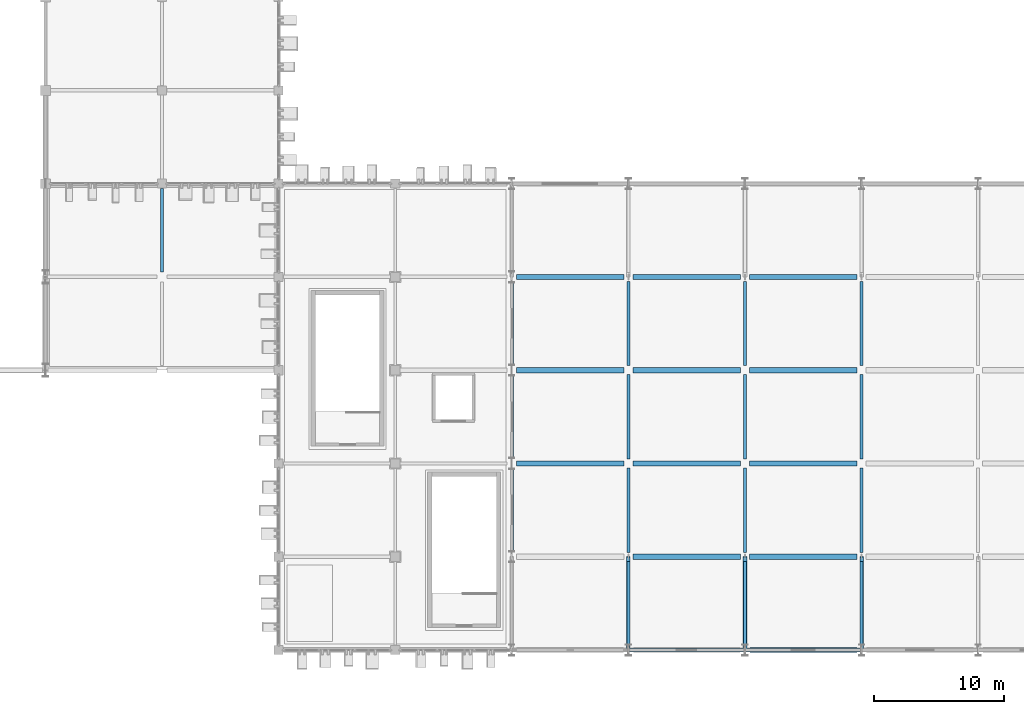
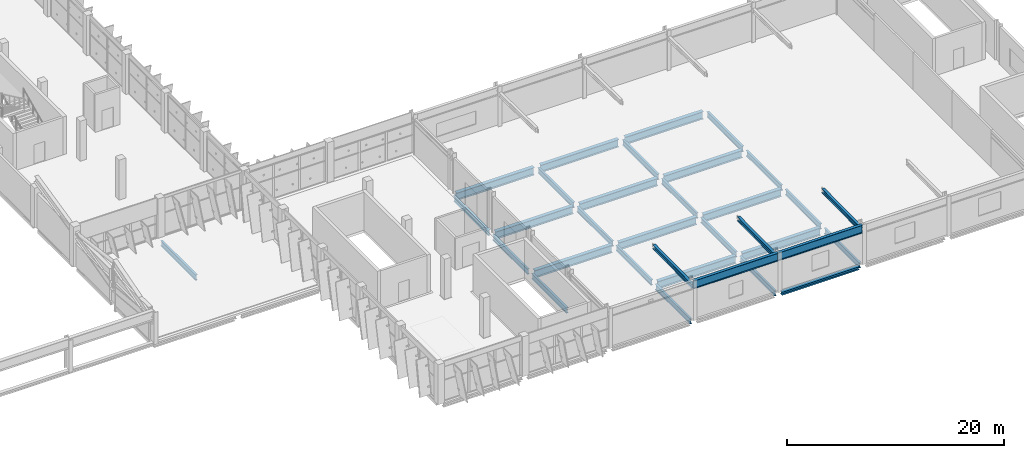
# One storey, part 42 of 151: 30 beams, 3 members.
"""IFC4 building model written with IfcOpenShell, lengths in metres."""

import ifcopenshell
import ifcopenshell.guid

model = None  # the IFC model being written
_history = None  # IfcOwnerHistory: only IFC2X3 demands one
_inside = {}  # id of a spatial element -> (the spatial element, [elements in it])
_under = {}  # id of a project, library or spatial element -> (it, [spatial elements below it])
_declared = {}  # id of a project -> (the project, [libraries it declares])
_typed = {}  # id of a type object -> (the type object, [elements of that type])
_made_of = {}  # id of a material, layer set ... -> (it, [elements and type objects made of it])


def new_model(schema):
    """Start an empty IFC model of exactly this schema.

    Asked for "IFC4X3", IfcOpenShell would pick the latest addendum, in which some entities
    have other attributes; the version numbers below select the first issue.
    IFC2X3 requires an IfcOwnerHistory on every rooted entity: one is made here for all.
    """
    global model, _history
    if schema == "IFC4X3":
        model = ifcopenshell.file(schema_version=(4, 3, 0, 0))
    else:
        model = ifcopenshell.file(schema=schema)
    _inside.clear()
    _under.clear()
    _declared.clear()
    _typed.clear()
    _made_of.clear()
    _history = None
    if model.schema == "IFC2X3":
        org = make("IfcOrganization", Name="unknown")
        user = make(
            "IfcPersonAndOrganization",
            ThePerson=make("IfcPerson", FamilyName="unknown"),
            TheOrganization=org,
        )
        app = make(
            "IfcApplication",
            ApplicationDeveloper=org,
            Version="unknown",
            ApplicationFullName="unknown",
            ApplicationIdentifier="unknown",
        )
        _history = make(
            "IfcOwnerHistory",
            OwningUser=user,
            OwningApplication=app,
            ChangeAction="ADDED",
            CreationDate=0,
        )
    return model


def make(cls, **values):
    """One entity of the class cls with the attributes given. An attribute that is None is left unset."""
    return model.create_entity(
        cls, **{name: value for name, value in values.items() if value is not None}
    )


def rooted(cls, **values):
    """An entity with a GlobalId (a new one), such as an element, a storey or a relation."""
    return make(cls, GlobalId=ifcopenshell.guid.new(), OwnerHistory=_history, **values)


def si_unit(unit_type, name, prefix=None):
    """IfcSIUnit, for example si_unit("LENGTHUNIT", "METRE", prefix="MILLI")."""
    return make("IfcSIUnit", UnitType=unit_type, Prefix=prefix, Name=name)


def assignment(units):
    """IfcUnitAssignment: the units of a project."""
    return None if units is None else make("IfcUnitAssignment", Units=units)


def point(xyz):
    """IfcCartesianPoint."""
    return None if xyz is None else make("IfcCartesianPoint", Coordinates=xyz)


def direction(xyz):
    """IfcDirection."""
    return None if xyz is None else make("IfcDirection", DirectionRatios=xyz)


def frame(location, z_axis=None, x_axis=None):
    """IfcAxis2Placement3D, a coordinate frame: its origin and axes. An axis left out is left unset."""
    return make(
        "IfcAxis2Placement3D",
        Location=point(location),
        Axis=direction(z_axis),
        RefDirection=direction(x_axis),
    )


def frame_2d(location, x_axis=None):
    """IfcAxis2Placement2D, a coordinate frame in the plane: its origin and x axis."""
    return make(
        "IfcAxis2Placement2D", Location=point(location), RefDirection=direction(x_axis)
    )


def origin():
    """The frame at (0, 0, 0) with its axes left unset."""
    return frame((0.0, 0.0, 0.0))


def origin_2d():
    """The frame at (0, 0) in the plane with its x axis left unset."""
    return frame_2d((0.0, 0.0))


def place(relative_to, where):
    """IfcLocalPlacement: puts the frame where relative to a parent placement (None: the world)."""
    return make(
        "IfcLocalPlacement", PlacementRelTo=relative_to, RelativePlacement=where
    )


def context(
    kind, dimensions, precision=None, world=None, true_north=None, identifier=None
):
    """IfcGeometricRepresentationContext, for example the 3D "Model" context."""
    return make(
        "IfcGeometricRepresentationContext",
        ContextIdentifier=identifier,
        ContextType=kind,
        CoordinateSpaceDimension=dimensions,
        Precision=precision,
        WorldCoordinateSystem=world,
        TrueNorth=true_north,
    )


def subcontext(parent, identifier, kind, view, scale=None):
    """IfcGeometricRepresentationSubContext, for example "Body" below "Model"."""
    return make(
        "IfcGeometricRepresentationSubContext",
        ContextIdentifier=identifier,
        ContextType=kind,
        ParentContext=parent,
        TargetScale=scale,
        TargetView=view,
    )


def project(units=None, contexts=None):
    """IfcProject with its units and contexts."""
    return rooted(
        "IfcProject",
        Name="project",
        RepresentationContexts=contexts,
        UnitsInContext=assignment(units),
    )


def spatial(cls, under=None, at=None, **own):
    """A site, building, storey or space (cls), placed at a placement, below another one or the project."""
    s = rooted(cls, ObjectPlacement=at, **own)
    if under is not None:
        _under.setdefault(under.id(), (under, []))[1].append(s)
    return s


def profile(cls, at=None, kind="AREA", **sizes):
    """A parametric profile (cls). Its sizes go by their IFC names, for example OverallWidth=200.0."""
    return make(cls, ProfileType=kind, Position=at, **sizes)


def i_section(**sizes):
    """IfcIShapeProfileDef."""
    return profile("IfcIShapeProfileDef", **sizes)


def extrude(swept, where, along, depth):
    """IfcExtrudedAreaSolid: the profile swept, set in the frame where, extruded along a direction by depth."""
    return make(
        "IfcExtrudedAreaSolid",
        SweptArea=swept,
        Position=where,
        ExtrudedDirection=direction(along),
        Depth=depth,
    )


def shape(context_of_items, identifier, shape_type, items):
    """IfcShapeRepresentation: the items that make up one representation, for example the "Body"."""
    return make(
        "IfcShapeRepresentation",
        ContextOfItems=context_of_items,
        RepresentationIdentifier=identifier,
        RepresentationType=shape_type,
        Items=items,
    )


def material(Name=None, Category=None):
    """IfcMaterial."""
    return make("IfcMaterial", Name=Name, Category=Category)


def material_profile(
    of_material, cross_section, Name=None, Category=None, Priority=None
):
    """IfcMaterialProfile: a cross section and its material."""
    return make(
        "IfcMaterialProfile",
        Name=Name,
        Material=of_material,
        Profile=cross_section,
        Priority=Priority,
        Category=Category,
    )


def profile_set(profiles, Name=None, composite=None):
    """IfcMaterialProfileSet."""
    return make(
        "IfcMaterialProfileSet",
        Name=Name,
        MaterialProfiles=profiles,
        CompositeProfile=composite,
    )


def made_of(thing, what):
    """Note that an element or type object is made of a material, layer set ...; save() writes the relation."""
    if what is not None:
        _made_of.setdefault(what.id(), (what, []))[1].append(thing)
    return thing


def type_object(cls, material=None, **own):
    """A type object (cls), such as IfcWallType, which elements share."""
    return made_of(rooted(cls, **own), material)


def element(
    cls,
    number,
    at=None,
    inside=None,
    cuts=None,
    type_object=None,
    material=None,
    context=None,
    identifier="Body",
    shape_type=None,
    held_by="IfcProductDefinitionShape",
    body=None,
    shapes=None,
    **own,
):
    """One element of the class cls, such as IfcWall. Its Tag is "e" and its number.

    at: its placement. inside: the storey or other place that contains it. cuts: it is an
    opening in that element (IfcRelVoidsElement). A single representation is given by context,
    identifier, shape_type and body (its items); several are given by shapes. held_by: the class
    of the entity that holds the representations. save() writes the other relations.
    """
    e = rooted(cls, Tag="e%d" % number, ObjectPlacement=at, **own)
    if body is not None:
        shapes = [shape(context, identifier, shape_type, body)]
    if shapes is not None:
        e.Representation = make(held_by, Representations=shapes)
    if inside is not None:
        _inside.setdefault(inside.id(), (inside, []))[1].append(e)
    if cuts is not None:
        rooted(
            "IfcRelVoidsElement", RelatingBuildingElement=cuts, RelatedOpeningElement=e
        )
    if type_object is not None:
        _typed.setdefault(type_object.id(), (type_object, []))[1].append(e)
    return made_of(e, material)


def aggregate(whole, parts):
    """IfcRelAggregates: a whole, such as a stair, and the parts it consists of."""
    return rooted("IfcRelAggregates", RelatingObject=whole, RelatedObjects=parts)


def save(model, path):
    """Write the relations noted so far, then the file.

    IfcRelAggregates (storeys below a building ...), IfcRelContainedInSpatialStructure (elements
    in a storey), IfcRelDefinesByType, IfcRelAssociatesMaterial and IfcRelDeclares: one each for
    every whole, place, type object, material and project.
    """
    for whole, parts in _under.values():
        aggregate(whole, parts)
    for where, things in _inside.values():
        rooted(
            "IfcRelContainedInSpatialStructure",
            RelatedElements=things,
            RelatingStructure=where,
        )
    for kind, things in _typed.values():
        rooted("IfcRelDefinesByType", RelatedObjects=things, RelatingType=kind)
    for what, things in _made_of.values():
        rooted("IfcRelAssociatesMaterial", RelatedObjects=things, RelatingMaterial=what)
    for by, libraries in _declared.values():
        rooted("IfcRelDeclares", RelatingContext=by, RelatedDefinitions=libraries)
    model.write(path)


model = new_model("IFC4")

# Units and contexts
model_context = context("Model", 3, precision=1e-05, world=origin(), true_north=direction((0.0, 1.0)))
body_context = subcontext(model_context, "Body", "Model", "MODEL_VIEW")
ifc_project = project(units=[si_unit("LENGTHUNIT", "METRE"), si_unit("AREAUNIT", "SQUARE_METRE"), si_unit("VOLUMEUNIT", "CUBIC_METRE"), si_unit("PLANEANGLEUNIT", "RADIAN"), si_unit("MASSUNIT", "GRAM", prefix="KILO")], contexts=[model_context])

# Site, building, storey
site_placement = place(None, origin())
site = spatial("IfcSite", under=ifc_project, at=site_placement, CompositionType="ELEMENT")
building_placement = place(site_placement, origin())
building = spatial("IfcBuilding", under=site, at=building_placement, Name="Celestram Park Convention Centre", CompositionType="ELEMENT")
storey_placement = place(building_placement, frame((0.0, 0.0, 10.800048828125)))
storey = spatial("IfcBuildingStorey", under=building, at=storey_placement, Name="L02", CompositionType="ELEMENT", Elevation=10.800048828125)

# Beams
ifc_material = material(Name="Steel ASTM A992 Grade 50", Category="steel")
ifc_material_profile_1 = material_profile(ifc_material, i_section(OverallWidth=0.22900390625, OverallDepth=0.612060546875, WebThickness=0.011962890625, FlangeThickness=0.01953125, at=origin_2d()), Name="W24X84")
ifc_profile_set_1 = profile_set([ifc_material_profile_1], Name="Steel ASTM A992 Grade 50")
beam_type_1 = type_object("IfcBeamType", Name="STR-BM-W24X84", PredefinedType="BEAM", material=ifc_profile_set_1)
beam_1_placement = place(storey_placement, frame((135.0, 29.173095703125, -0.546142578125), z_axis=(0.0, 1.0, 0.0), x_axis=(-1.0, 0.0, 0.0)))
element("IfcBeam", 1, at=beam_1_placement, inside=storey, type_object=beam_type_1, Name="Primary Y-girder BG-L02-0197", PredefinedType="BEAM", context=body_context, shape_type="SweptSolid", body=[
    extrude(i_section(OverallWidth=0.22900390625, OverallDepth=0.612060546875, WebThickness=0.011962890625, FlangeThickness=0.01953125, at=origin_2d()), origin(), (0.0, 0.0, 1.0), 6.453857421875),
])
for number, where, z_axis, x_axis, name in (
    (2, (162.0, 7.572998046875, -0.5859375), (0.0, 1.0, 0.0), (-1.0, 0.0, 0.0), "Primary Y-girder BG-L02-0287"),
    (3, (162.0, 14.77294921875, -0.5859375), (0.0, 1.0, 0.0), (-1.0, 0.0, 0.0), "Primary Y-girder BG-L02-0289"),
    (4, (162.0, 21.972900390625, -0.5859375), (0.0, 1.0, 0.0), (-1.0, 0.0, 0.0), "Primary Y-girder BG-L02-0291"),
):
    element("IfcBeam", number, at=place(storey_placement, frame(where, z_axis=z_axis, x_axis=x_axis)), inside=storey, type_object=beam_type_1, Name=name, PredefinedType="BEAM", context=body_context, shape_type="SweptSolid", body=[
        extrude(i_section(OverallWidth=0.22900390625, OverallDepth=0.612060546875, WebThickness=0.011962890625, FlangeThickness=0.01953125, at=origin_2d()), origin(), (0.0, 0.0, 1.0), 6.4541015625),
    ])
beam_2_placement = place(storey_placement, frame((171.0, 0.373046875, -0.5859375), z_axis=(0.0, 1.0, 0.0), x_axis=(-1.0, 0.0, 0.0)))
element("IfcBeam", 5, at=beam_2_placement, inside=storey, type_object=beam_type_1, Name="Primary Y-girder BG-L02-0298", PredefinedType="BEAM", context=body_context, shape_type="SweptSolid", body=[
    extrude(i_section(OverallWidth=0.22900390625, OverallDepth=0.612060546875, WebThickness=0.011962890625, FlangeThickness=0.01953125, at=origin_2d()), origin(), (0.0, 0.0, 1.0), 6.47900390625),
])
for number, where, z_axis, x_axis, name in (
    (6, (171.0, 7.548095703125, -0.5859375), (0.0, 1.0, 0.0), (-1.0, 0.0, 0.0), "Primary Y-girder BG-L02-0300"),
    (7, (171.0, 14.748046875, -0.5859375), (0.0, 1.0, 0.0), (-1.0, 0.0, 0.0), "Primary Y-girder BG-L02-0302"),
    (8, (171.0, 21.947998046875, -0.5859375), (0.0, 1.0, 0.0), (-1.0, 0.0, 0.0), "Primary Y-girder BG-L02-0304"),
):
    element("IfcBeam", number, at=place(storey_placement, frame(where, z_axis=z_axis, x_axis=x_axis)), inside=storey, type_object=beam_type_1, Name=name, PredefinedType="BEAM", context=body_context, shape_type="SweptSolid", body=[
        extrude(i_section(OverallWidth=0.22900390625, OverallDepth=0.612060546875, WebThickness=0.011962890625, FlangeThickness=0.01953125, at=origin_2d()), origin(), (0.0, 0.0, 1.0), 6.50390625),
    ])
beam_3_placement = place(storey_placement, frame((180.0, 0.373046875, -0.5859375), z_axis=(0.0, 1.0, 0.0), x_axis=(-1.0, 0.0, 0.0)))
element("IfcBeam", 9, at=beam_3_placement, inside=storey, type_object=beam_type_1, Name="Primary Y-girder BG-L02-0311", PredefinedType="BEAM", context=body_context, shape_type="SweptSolid", body=[
    extrude(i_section(OverallWidth=0.22900390625, OverallDepth=0.612060546875, WebThickness=0.011962890625, FlangeThickness=0.01953125, at=origin_2d()), origin(), (0.0, 0.0, 1.0), 6.47900390625),
])
for number, where, z_axis, x_axis, name in (
    (10, (180.0, 7.548095703125, -0.5859375), (0.0, 1.0, 0.0), (-1.0, 0.0, 0.0), "Primary Y-girder BG-L02-0313"),
    (11, (180.0, 14.748046875, -0.5859375), (0.0, 1.0, 0.0), (-1.0, 0.0, 0.0), "Primary Y-girder BG-L02-0315"),
    (12, (180.0, 21.947998046875, -0.5859375), (0.0, 1.0, 0.0), (-1.0, 0.0, 0.0), "Primary Y-girder BG-L02-0317"),
):
    element("IfcBeam", number, at=place(storey_placement, frame(where, z_axis=z_axis, x_axis=x_axis)), inside=storey, type_object=beam_type_1, Name=name, PredefinedType="BEAM", context=body_context, shape_type="SweptSolid", body=[
        extrude(i_section(OverallWidth=0.22900390625, OverallDepth=0.612060546875, WebThickness=0.011962890625, FlangeThickness=0.01953125, at=origin_2d()), origin(), (0.0, 0.0, 1.0), 6.50390625),
    ])
beam_4_placement = place(storey_placement, frame((189.0, 0.373046875, -0.5859375), z_axis=(0.0, 1.0, 0.0), x_axis=(-1.0, 0.0, 0.0)))
element("IfcBeam", 13, at=beam_4_placement, inside=storey, type_object=beam_type_1, Name="Primary Y-girder BG-L02-0324", PredefinedType="BEAM", context=body_context, shape_type="SweptSolid", body=[
    extrude(i_section(OverallWidth=0.22900390625, OverallDepth=0.612060546875, WebThickness=0.011962890625, FlangeThickness=0.01953125, at=origin_2d()), origin(), (0.0, 0.0, 1.0), 6.47900390625),
])
for number, where, z_axis, x_axis, name in (
    (14, (189.0, 7.548095703125, -0.5859375), (0.0, 1.0, 0.0), (-1.0, 0.0, 0.0), "Primary Y-girder BG-L02-0326"),
    (15, (189.0, 14.748046875, -0.5859375), (0.0, 1.0, 0.0), (-1.0, 0.0, 0.0), "Primary Y-girder BG-L02-0328"),
    (16, (189.0, 21.947998046875, -0.5859375), (0.0, 1.0, 0.0), (-1.0, 0.0, 0.0), "Primary Y-girder BG-L02-0330"),
):
    element("IfcBeam", number, at=place(storey_placement, frame(where, z_axis=z_axis, x_axis=x_axis)), inside=storey, type_object=beam_type_1, Name=name, PredefinedType="BEAM", context=body_context, shape_type="SweptSolid", body=[
        extrude(i_section(OverallWidth=0.22900390625, OverallDepth=0.612060546875, WebThickness=0.011962890625, FlangeThickness=0.01953125, at=origin_2d()), origin(), (0.0, 0.0, 1.0), 6.50390625),
    ])
ifc_material_profile_2 = material_profile(ifc_material, i_section(OverallWidth=0.40087890625, OverallDepth=0.85595703125, WebThickness=0.018310546875, FlangeThickness=0.029296875, at=origin_2d()), Name="W33X201")
ifc_profile_set_2 = profile_set([ifc_material_profile_2], Name="Steel ASTM A992 Grade 50")
beam_type_2 = type_object("IfcBeamType", Name="STR-BM-W33X201", PredefinedType="BEAM", material=ifc_profile_set_2)
for number, where, z_axis, x_axis, name in (
    (17, (162.373046875, 14.39990234375, -0.7080078125), (1.0, 0.0, 0.0), (0.0, 1.0, 0.0), "Primary X-girder BG-L02-0288"),
    (18, (162.373046875, 21.60009765625, -0.7080078125), (1.0, 0.0, 0.0), (0.0, 1.0, 0.0), "Primary X-girder BG-L02-0290"),
    (19, (162.373046875, 28.800048828125, -0.7080078125), (1.0, 0.0, 0.0), (0.0, 1.0, 0.0), "Primary X-girder BG-L02-0292"),
):
    element("IfcBeam", number, at=place(storey_placement, frame(where, z_axis=z_axis, x_axis=x_axis)), inside=storey, type_object=beam_type_2, Name=name, PredefinedType="BEAM", context=body_context, shape_type="SweptSolid", body=[
        extrude(i_section(OverallWidth=0.40087890625, OverallDepth=0.85595703125, WebThickness=0.018310546875, FlangeThickness=0.029296875, at=origin_2d()), origin(), (0.0, 0.0, 1.0), 8.279052734375),
    ])
for number, where, z_axis, x_axis, name in (
    (20, (171.347900390625, 7.199951171875, -0.7080078125), (1.0, 0.0, 0.0), (0.0, 1.0, 0.0), "Primary X-girder BG-L02-0299"),
    (21, (171.347900390625, 14.39990234375, -0.7080078125), (1.0, 0.0, 0.0), (0.0, 1.0, 0.0), "Primary X-girder BG-L02-0301"),
    (22, (171.347900390625, 21.60009765625, -0.7080078125), (1.0, 0.0, 0.0), (0.0, 1.0, 0.0), "Primary X-girder BG-L02-0303"),
    (23, (171.347900390625, 28.800048828125, -0.7080078125), (1.0, 0.0, 0.0), (0.0, 1.0, 0.0), "Primary X-girder BG-L02-0305"),
    (24, (180.347900390625, 7.199951171875, -0.7080078125), (1.0, 0.0, 0.0), (0.0, 1.0, 0.0), "Primary X-girder BG-L02-0312"),
    (25, (180.347900390625, 14.39990234375, -0.7080078125), (1.0, 0.0, 0.0), (0.0, 1.0, 0.0), "Primary X-girder BG-L02-0314"),
    (26, (180.347900390625, 21.60009765625, -0.7080078125), (1.0, 0.0, 0.0), (0.0, 1.0, 0.0), "Primary X-girder BG-L02-0316"),
    (27, (180.347900390625, 28.800048828125, -0.7080078125), (1.0, 0.0, 0.0), (0.0, 1.0, 0.0), "Primary X-girder BG-L02-0318"),
):
    element("IfcBeam", number, at=place(storey_placement, frame(where, z_axis=z_axis, x_axis=x_axis)), inside=storey, type_object=beam_type_2, Name=name, PredefinedType="BEAM", context=body_context, shape_type="SweptSolid", body=[
        extrude(i_section(OverallWidth=0.40087890625, OverallDepth=0.85595703125, WebThickness=0.018310546875, FlangeThickness=0.029296875, at=origin_2d()), origin(), (0.0, 0.0, 1.0), 8.30419921875),
    ])
ifc_material_profile_3 = material_profile(ifc_material, i_section(OverallWidth=0.304931640625, OverallDepth=0.9140625, WebThickness=0.0166015625, FlangeThickness=0.02587890625, at=origin_2d()), Name="W36X160")
ifc_profile_set_3 = profile_set([ifc_material_profile_3], Name="Steel ASTM A992 Grade 50")
beam_type_3 = type_object("IfcBeamType", Name="STR-BM-W36X160", PredefinedType="BEAM", material=ifc_profile_set_3)
for number, where, z_axis, x_axis, name in (
    (28, (171.007080078125, 0.0, 3.79296875), (1.0, 0.0, 0.0), (0.0, 1.0, 0.0), "Ballroom eaves girder BG-L02-0405"),
    (29, (180.007080078125, 0.0, 3.79296875), (1.0, 0.0, 0.0), (0.0, 1.0, 0.0), "Ballroom eaves girder BG-L02-0406"),
):
    element("IfcBeam", number, at=place(storey_placement, frame(where, z_axis=z_axis, x_axis=x_axis)), inside=storey, type_object=beam_type_3, Name=name, PredefinedType="BEAM", context=body_context, shape_type="SweptSolid", body=[
        extrude(i_section(OverallWidth=0.304931640625, OverallDepth=0.9140625, WebThickness=0.0166015625, FlangeThickness=0.02587890625, at=origin_2d()), origin(), (0.0, 0.0, 1.0), 8.98583984375),
    ])

# Members
ifc_material_profile_4 = material_profile(ifc_material, i_section(OverallWidth=0.281982421875, OverallDepth=0.467041015625, WebThickness=0.01220703125, FlangeThickness=0.01953125, at=origin_2d()), Name="W18X86")
ifc_profile_set_4 = profile_set([ifc_material_profile_4], Name="Steel ASTM A992 Grade 50")
member_type = type_object("IfcMemberType", Name="STR-CHD-W18X86", PredefinedType="CHORD", material=ifc_profile_set_4)
for number, where, z_axis, x_axis, name in (
    (30, (171.0, 0.0, 3.60791015625), (0.0, 0.999903373607, 0.013901203187), (-1.0, 0.0, 0.0), "V3 arch bottom chord"),
    (31, (180.0, 0.0, 3.60791015625), (0.0, 0.999903373607, 0.013901203187), (-1.0, 0.0, 0.0), "V3 arch bottom chord"),
    (32, (189.0, 0.0, 3.60791015625), (0.0, 0.999903373607, 0.013901203187), (-1.0, 0.0, 0.0), "V3 arch bottom chord"),
):
    element("IfcMember", number, at=place(storey_placement, frame(where, z_axis=z_axis, x_axis=x_axis)), inside=storey, type_object=member_type, Name=name, PredefinedType="CHORD", context=body_context, shape_type="SweptSolid", body=[
        extrude(i_section(OverallWidth=0.281982421875, OverallDepth=0.467041015625, WebThickness=0.01220703125, FlangeThickness=0.01953125, at=origin_2d()), origin(), (0.0, 0.0, 1.0), 7.20068359375),
    ])

# Beam
ifc_material_profile_5 = material_profile(ifc_material, i_section(OverallWidth=0.367919921875, OverallDepth=0.35595703125, WebThickness=0.01123046875, FlangeThickness=0.01806640625, at=origin_2d()), Name="W14X90")
ifc_profile_set_5 = profile_set([ifc_material_profile_5], Name="Steel ASTM A992 Grade 50")
beam_type_4 = type_object("IfcBeamType", Name="STR-SPN-W14X90", PredefinedType="SPANDREL", material=ifc_profile_set_5)
beam_5_placement = place(storey_placement, frame((180.373046875, 0.0, -0.4580078125), z_axis=(1.0, 0.0, 0.0), x_axis=(0.0, 1.0, 0.0)))
element("IfcBeam", 33, at=beam_5_placement, inside=storey, type_object=beam_type_4, Name="Primary X-girder BG-L02-0310", PredefinedType="SPANDREL", context=body_context, shape_type="SweptSolid", body=[
    extrude(i_section(OverallWidth=0.367919921875, OverallDepth=0.35595703125, WebThickness=0.01123046875, FlangeThickness=0.01806640625, at=origin_2d()), origin(), (0.0, 0.0, 1.0), 8.25390625),
])

save(model, "model.ifc")
